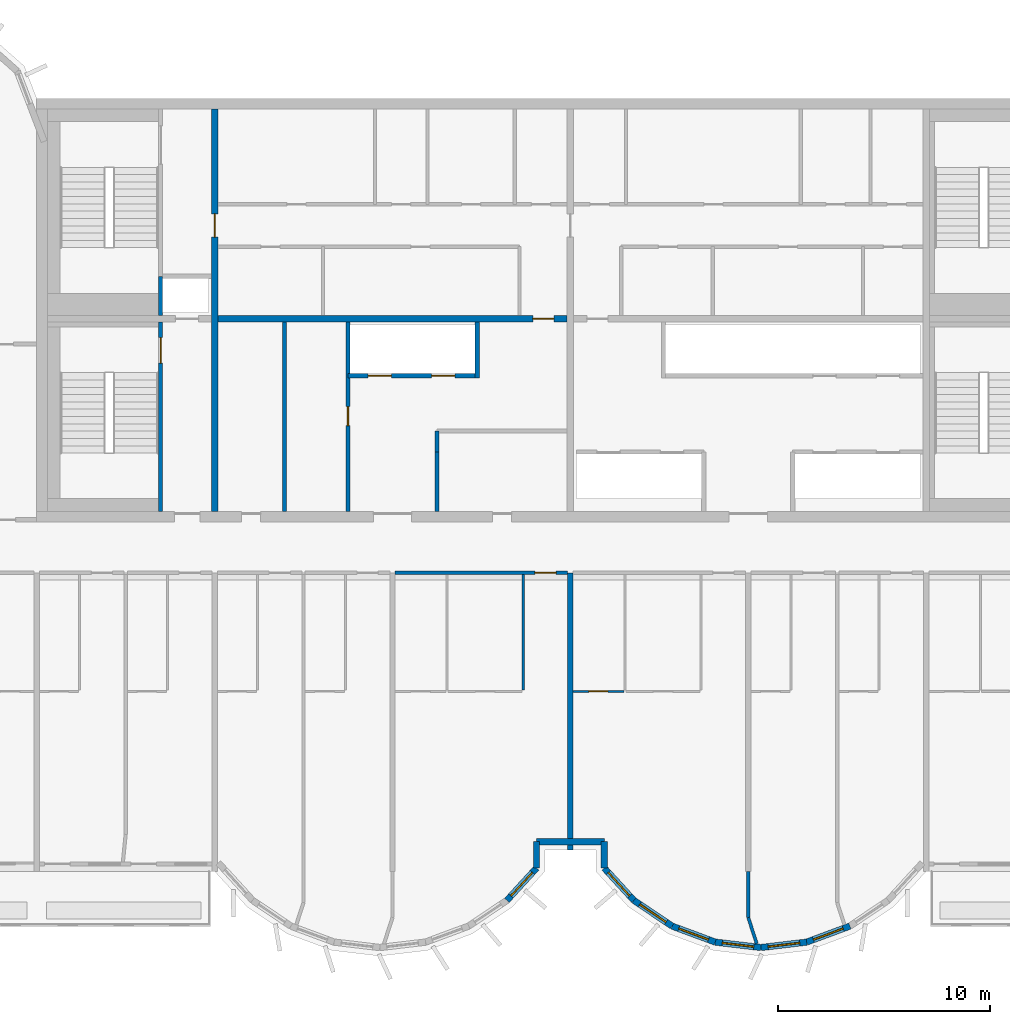
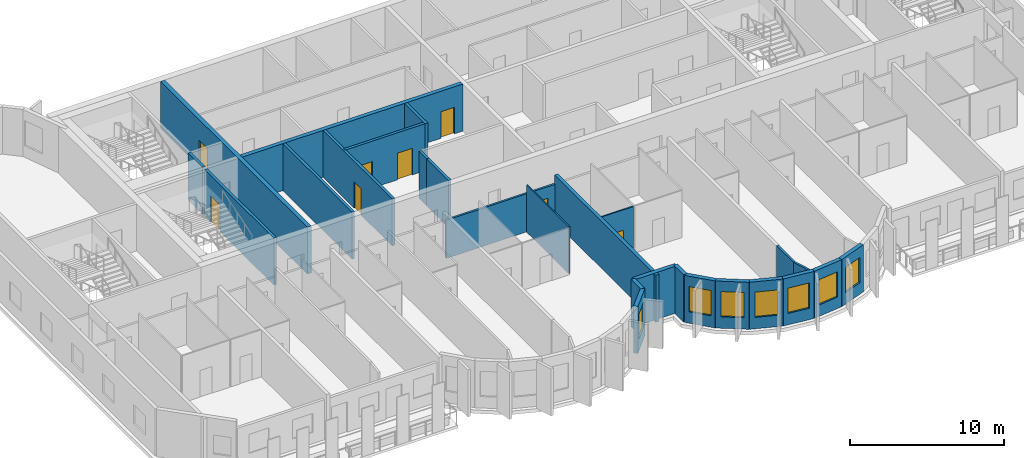
# One storey, part 4 of 12: 26 walls, 8 doors, 7 windows, 15 openings.
"""IFC4 building model written with IfcOpenShell, lengths in metres."""

from ifc_helpers import new_model, si_unit, direction, frame, frame_2d, origin, place, context, subcontext, project, spatial, rectangle, extrude, source, transform, mapped, material, layer, layer_set, type_object, element, fill, save


model = new_model("IFC4")

# Units and contexts
model_context = context("Model", 3, precision=1e-05, world=origin(), true_north=direction((0.0, 1.0)))
body_context = subcontext(model_context, "Body", "Model", "MODEL_VIEW")
ifc_project = project(units=[si_unit("LENGTHUNIT", "METRE"), si_unit("AREAUNIT", "SQUARE_METRE"), si_unit("VOLUMEUNIT", "CUBIC_METRE"), si_unit("PLANEANGLEUNIT", "RADIAN"), si_unit("MASSUNIT", "GRAM", prefix="KILO")], contexts=[model_context])

# Site, building, storey
site_placement = place(None, origin())
site = spatial("IfcSite", under=ifc_project, at=site_placement, CompositionType="ELEMENT")
building_placement = place(site_placement, origin())
building = spatial("IfcBuilding", under=site, at=building_placement, Name="Vanashikhar Sky Hotel", CompositionType="ELEMENT")
storey_placement = place(building_placement, frame((0.0, 0.0, 293.699951171875)))
storey = spatial("IfcBuildingStorey", under=building, at=storey_placement, Name="L70", CompositionType="ELEMENT", Elevation=293.699951171875)

# Wall, opening, door
ifc_material_1 = material(Name="Concrete M50", Category="concrete")
ifc_layer_1 = layer(ifc_material_1, 0.300048828125)
ifc_layer_set_1 = layer_set([ifc_layer_1], Name="RC core inner wall 300 Concrete M50")
wall_type_1 = type_object("IfcWallType", Name="RC core inner wall 300 Concrete M50", PredefinedType="SHEAR", material=ifc_layer_set_1)
shared_shape_1 = source(origin(), body_context, "Body", "SweptSolid", [
    extrude(rectangle(XDim=19.0, YDim=0.300048828125, at=frame_2d((9.5, 0.0))), origin(), (0.0, 0.0, 1.0), 3.719970703125),
])
wall_1_placement = place(storey_placement, frame((33.60009765625, 22.5, 0.0), z_axis=(0.0, 0.0, 1.0), x_axis=(0.0, 1.0, 0.0)))
wall_1 = element("IfcWall", 1, at=wall_1_placement, inside=storey, type_object=wall_type_1, Name="KW-L70-KX1", PredefinedType="SHEAR", context=body_context, shape_type="MappedRepresentation", body=[
    mapped(shared_shape_1, transform((0.0, 0.0, 0.0), scale=1.0)),
])
shared_shape_2 = source(origin(), body_context, "Body", "SweptSolid", [
    extrude(rectangle(XDim=1.10009765625, YDim=2.10009765625, at=frame_2d((0.550048828125, 1.050048828125))), frame((0.0, 0.16015625, 0.0), z_axis=(0.0, -1.0, 0.0), x_axis=(1.0, 0.0, 0.0)), (0.0, 0.0, 1.0), 0.320068359375),
])
opening_1_placement = place(wall_1_placement, frame((12.949951171875, 0.0, 0.0)))
opening_1 = element("IfcOpeningElement", 2, at=opening_1_placement, cuts=wall_1, Name="Opening DC-4-C", PredefinedType="OPENING", context=body_context, shape_type="MappedRepresentation", body=[
    mapped(shared_shape_2, transform((0.0, 0.0, 0.0), scale=1.0)),
])
ifc_material_2 = material(Name="Steel", Category="steel")
door_type_1 = type_object("IfcDoorType", Name="Service door 1100 FD60", OperationType="NOTDEFINED", PredefinedType="DOOR", material=ifc_material_2)
shared_shape_3 = source(origin(), body_context, "Body", "SweptSolid", [
    extrude(rectangle(XDim=1.10009765625, YDim=2.10009765625, at=frame_2d((0.550048828125, 1.050048828125))), frame((0.0, 0.02490234375, 0.0), z_axis=(0.0, -1.0, 0.0), x_axis=(1.0, 0.0, 0.0)), (0.0, 0.0, 1.0), 0.050048828125),
])
door_1_placement = place(opening_1_placement, origin())
door_1 = element("IfcDoor", 3, at=door_1_placement, inside=storey, type_object=door_type_1, Name="Service door 1100 FD60", OperationType="SINGLE_SWING_RIGHT", OverallHeight=2.10009765625, OverallWidth=1.10009765625, PredefinedType="DOOR", context=body_context, shape_type="MappedRepresentation", body=[
    mapped(shared_shape_3, transform((0.0, 0.0, 0.0), scale=1.0)),
])
fill(opening_1, door_1)

shared_shape_4 = source(origin(), body_context, "Body", "SweptSolid", [
    extrude(rectangle(XDim=16.5, YDim=0.300048828125, at=frame_2d((8.25, 0.0))), origin(), (0.0, 0.0, 1.0), 3.719970703125),
])
wall_2_placement = place(storey_placement, frame((33.75, 31.60009765625, 0.0), z_axis=(0.0, 0.0, 1.0), x_axis=(1.0, 0.0, 0.0)))
wall_2 = element("IfcWall", 4, at=wall_2_placement, inside=storey, type_object=wall_type_1, Name="KW-L70-KY2", PredefinedType="SHEAR", context=body_context, shape_type="MappedRepresentation", body=[
    mapped(shared_shape_4, transform((0.0, 0.0, 0.0), scale=1.0)),
])
shared_shape_5 = source(origin(), body_context, "Body", "SweptSolid", [
    extrude(rectangle(XDim=1.0, YDim=2.10009765625, at=frame_2d((0.5, 1.050048828125))), frame((0.0, 0.16015625, 0.0), z_axis=(0.0, -1.0, 0.0), x_axis=(1.0, 0.0, 0.0)), (0.0, 0.0, 1.0), 0.320068359375),
])
opening_2_placement = place(wall_2_placement, frame((14.875, 0.0, 0.0)))
opening_2 = element("IfcOpeningElement", 5, at=opening_2_placement, cuts=wall_2, Name="Opening DC-4", PredefinedType="OPENING", context=body_context, shape_type="MappedRepresentation", body=[
    mapped(shared_shape_5, transform((0.0, 0.0, 0.0), scale=1.0)),
])
door_type_2 = type_object("IfcDoorType", Name="Service door 1000 FD60", OperationType="NOTDEFINED", PredefinedType="DOOR", material=ifc_material_2)
shared_shape_6 = source(origin(), body_context, "Body", "SweptSolid", [
    extrude(rectangle(XDim=1.0, YDim=2.10009765625, at=frame_2d((0.5, 1.050048828125))), frame((0.0, 0.02490234375, 0.0), z_axis=(0.0, -1.0, 0.0), x_axis=(1.0, 0.0, 0.0)), (0.0, 0.0, 1.0), 0.050048828125),
])
door_2_placement = place(opening_2_placement, origin())
door_2 = element("IfcDoor", 6, at=door_2_placement, inside=storey, type_object=door_type_2, Name="Service door 1000 FD60", OperationType="SINGLE_SWING_LEFT", OverallHeight=2.10009765625, OverallWidth=1.0, PredefinedType="DOOR", context=body_context, shape_type="MappedRepresentation", body=[
    mapped(shared_shape_6, transform((0.0, 0.0, 0.0), scale=1.0)),
])
fill(opening_2, door_2)

# Wall
ifc_layer_2 = layer(ifc_material_1, 0.25)
ifc_layer_set_2 = layer_set([ifc_layer_2], Name="RC shear wall 250 Concrete M50")
wall_type_2 = type_object("IfcWallType", Name="RC shear wall 250 Concrete M50", PredefinedType="SHEAR", material=ifc_layer_set_2)
shared_shape_7 = source(origin(), body_context, "Body", "SweptSolid", [
    extrude(rectangle(XDim=13.10009765625, YDim=0.25, at=frame_2d((6.550048828125, 0.0))), origin(), (0.0, 0.0, 1.0), 3.719970703125),
])
wall_3_placement = place(storey_placement, frame((50.39990234375, 6.5, 0.0), z_axis=(0.0, 0.0, 1.0), x_axis=(0.0, 1.0, 0.0)))
element("IfcWall", 7, at=wall_3_placement, inside=storey, type_object=wall_type_2, Name="CW-L70-XW07-1", PredefinedType="SHEAR", context=body_context, shape_type="MappedRepresentation", body=[
    mapped(shared_shape_7, transform((0.0, 0.0, 0.0), scale=1.0)),
])

# Wall, opening, window
ifc_layer_3 = layer(ifc_material_1, 0.300048828125)
ifc_layer_set_3 = layer_set([ifc_layer_3], Name="Lobe wall 300")
wall_type_3 = type_object("IfcWallType", Name="Lobe wall 300", PredefinedType="SOLIDWALL", material=ifc_layer_set_3)
shared_shape_8 = source(origin(), body_context, "Body", "SweptSolid", [
    extrude(rectangle(XDim=2.17578125, YDim=0.300048828125, at=frame_2d((1.087890625, 0.0))), origin(), (0.0, 0.0, 1.0), 3.719970703125),
])
wall_4_placement = place(storey_placement, frame((53.395751953125, 4.13134765625, 0.0), z_axis=(0.0, 0.0, 1.0), x_axis=(0.829590746428, -0.558371913192, 0.0)))
wall_4 = element("IfcWall", 8, at=wall_4_placement, inside=storey, type_object=wall_type_3, Name="Lobe wall", PredefinedType="SOLIDWALL", context=body_context, shape_type="MappedRepresentation", body=[
    mapped(shared_shape_8, transform((0.0, 0.0, 0.0), scale=1.0)),
])
shared_shape_9 = source(origin(), body_context, "Body", "SweptSolid", [
    extrude(rectangle(XDim=1.5, YDim=2.0, at=frame_2d((0.75, 1.0))), frame((0.0, 0.16015625, 0.0), z_axis=(0.0, -1.0, 0.0), x_axis=(1.0, 0.0, 0.0)), (0.0, 0.0, 1.0), 0.320068359375),
])
opening_3_placement = place(wall_4_placement, frame((0.337890625, 0.0, 0.89990234375)))
opening_3 = element("IfcOpeningElement", 9, at=opening_3_placement, cuts=wall_4, Name="Opening WN-2", PredefinedType="OPENING", context=body_context, shape_type="MappedRepresentation", body=[
    mapped(shared_shape_9, transform((0.0, 0.0, 0.0), scale=1.0)),
])
ifc_material_3 = material(Name="Glass", Category="glass")
window_type = type_object("IfcWindowType", Name="Lobe window 1500 x 2000", PartitioningType="SINGLE_PANEL", PredefinedType="WINDOW", material=ifc_material_3)
shared_shape_10 = source(origin(), body_context, "Body", "SweptSolid", [
    extrude(rectangle(XDim=1.5, YDim=2.0, at=frame_2d((0.75, 1.0))), frame((0.0, 0.030029296875, 0.0), z_axis=(0.0, -1.0, 0.0), x_axis=(1.0, 0.0, 0.0)), (0.0, 0.0, 1.0), 0.06005859375),
])
window_1_placement = place(opening_3_placement, origin())
window_1 = element("IfcWindow", 10, at=window_1_placement, inside=storey, type_object=window_type, Name="Window WN-2", OverallHeight=2.0, OverallWidth=1.5, PartitioningType="SINGLE_PANEL", PredefinedType="WINDOW", context=body_context, shape_type="MappedRepresentation", body=[
    mapped(shared_shape_10, transform((0.0, 0.0, 0.0), scale=1.0)),
])
fill(opening_3, window_1)

wall_5_placement = place(storey_placement, frame((55.20068359375, 2.91650390625, 0.0), z_axis=(0.0, 0.0, 1.0), x_axis=(0.93754555999, -0.347862505801, 0.0)))
wall_5 = element("IfcWall", 11, at=wall_5_placement, inside=storey, type_object=wall_type_3, Name="Lobe wall", PredefinedType="SOLIDWALL", context=body_context, shape_type="MappedRepresentation", body=[
    mapped(shared_shape_8, transform((0.0, 0.0, 0.0), scale=1.0)),
])
opening_4_placement = place(wall_5_placement, frame((0.337890625, 0.0, 0.89990234375)))
opening_4 = element("IfcOpeningElement", 12, at=opening_4_placement, cuts=wall_5, Name="Opening WN-2", PredefinedType="OPENING", context=body_context, shape_type="MappedRepresentation", body=[
    mapped(shared_shape_9, transform((0.0, 0.0, 0.0), scale=1.0)),
])
window_2_placement = place(opening_4_placement, origin())
window_2 = element("IfcWindow", 13, at=window_2_placement, inside=storey, type_object=window_type, Name="Window WN-2", OverallHeight=2.0, OverallWidth=1.5, PartitioningType="SINGLE_PANEL", PredefinedType="WINDOW", context=body_context, shape_type="MappedRepresentation", body=[
    mapped(shared_shape_10, transform((0.0, 0.0, 0.0), scale=1.0)),
])
fill(opening_4, window_2)

shared_shape_11 = source(origin(), body_context, "Body", "SweptSolid", [
    extrude(rectangle(XDim=2.174560546875, YDim=0.300048828125, at=frame_2d((1.08740234375, 0.0))), origin(), (0.0, 0.0, 1.0), 3.719970703125),
])
wall_6_placement = place(storey_placement, frame((57.240478515625, 2.15966796875, 0.0), z_axis=(0.0, 0.0, 1.0), x_axis=(0.993001132889, -0.118104826659, 0.0)))
wall_6 = element("IfcWall", 14, at=wall_6_placement, inside=storey, type_object=wall_type_3, Name="Lobe wall", PredefinedType="SOLIDWALL", context=body_context, shape_type="MappedRepresentation", body=[
    mapped(shared_shape_11, transform((0.0, 0.0, 0.0), scale=1.0)),
])
opening_5_placement = place(wall_6_placement, frame((0.33740234375, 0.0, 0.89990234375)))
opening_5 = element("IfcOpeningElement", 15, at=opening_5_placement, cuts=wall_6, Name="Opening WN-2", PredefinedType="OPENING", context=body_context, shape_type="MappedRepresentation", body=[
    mapped(shared_shape_9, transform((0.0, 0.0, 0.0), scale=1.0)),
])
window_3_placement = place(opening_5_placement, origin())
window_3 = element("IfcWindow", 16, at=window_3_placement, inside=storey, type_object=window_type, Name="Window WN-2", OverallHeight=2.0, OverallWidth=1.5, PartitioningType="SINGLE_PANEL", PredefinedType="WINDOW", context=body_context, shape_type="MappedRepresentation", body=[
    mapped(shared_shape_10, transform((0.0, 0.0, 0.0), scale=1.0)),
])
fill(opening_5, window_3)

shared_shape_12 = source(origin(), body_context, "Body", "SweptSolid", [
    extrude(rectangle(XDim=2.1748046875, YDim=0.300048828125, at=frame_2d((1.08740234375, 0.0))), origin(), (0.0, 0.0, 1.0), 3.719970703125),
])
wall_7_placement = place(storey_placement, frame((59.39990234375, 1.90283203125, 0.0), z_axis=(0.0, 0.0, 1.0), x_axis=(0.993002698611, 0.118091661648, 0.0)))
wall_7 = element("IfcWall", 17, at=wall_7_placement, inside=storey, type_object=wall_type_3, Name="Lobe wall", PredefinedType="SOLIDWALL", context=body_context, shape_type="MappedRepresentation", body=[
    mapped(shared_shape_12, transform((0.0, 0.0, 0.0), scale=1.0)),
])
opening_6_placement = place(wall_7_placement, frame((0.33740234375, 0.0, 0.89990234375)))
opening_6 = element("IfcOpeningElement", 18, at=opening_6_placement, cuts=wall_7, Name="Opening WN-2", PredefinedType="OPENING", context=body_context, shape_type="MappedRepresentation", body=[
    mapped(shared_shape_9, transform((0.0, 0.0, 0.0), scale=1.0)),
])
window_4_placement = place(opening_6_placement, origin())
window_4 = element("IfcWindow", 19, at=window_4_placement, inside=storey, type_object=window_type, Name="Window WN-2", OverallHeight=2.0, OverallWidth=1.5, PartitioningType="SINGLE_PANEL", PredefinedType="WINDOW", context=body_context, shape_type="MappedRepresentation", body=[
    mapped(shared_shape_10, transform((0.0, 0.0, 0.0), scale=1.0)),
])
fill(opening_6, window_4)

shared_shape_13 = source(origin(), body_context, "Body", "SweptSolid", [
    extrude(rectangle(XDim=2.175537109375, YDim=0.300048828125, at=frame_2d((1.087890625, 0.0))), origin(), (0.0, 0.0, 1.0), 3.719970703125),
])
wall_8_placement = place(storey_placement, frame((61.5595703125, 2.15966796875, 0.0), z_axis=(0.0, 0.0, 1.0), x_axis=(0.937531979054, 0.347899106424, 0.0)))
wall_8 = element("IfcWall", 20, at=wall_8_placement, inside=storey, type_object=wall_type_3, Name="Lobe wall", PredefinedType="SOLIDWALL", context=body_context, shape_type="MappedRepresentation", body=[
    mapped(shared_shape_13, transform((0.0, 0.0, 0.0), scale=1.0)),
])
opening_7_placement = place(wall_8_placement, frame((0.337890625, 0.0, 0.89990234375)))
opening_7 = element("IfcOpeningElement", 21, at=opening_7_placement, cuts=wall_8, Name="Opening WN-2", PredefinedType="OPENING", context=body_context, shape_type="MappedRepresentation", body=[
    mapped(shared_shape_9, transform((0.0, 0.0, 0.0), scale=1.0)),
])
window_5_placement = place(opening_7_placement, origin())
window_5 = element("IfcWindow", 22, at=window_5_placement, inside=storey, type_object=window_type, Name="Window WN-2", OverallHeight=2.0, OverallWidth=1.5, PartitioningType="SINGLE_PANEL", PredefinedType="WINDOW", context=body_context, shape_type="MappedRepresentation", body=[
    mapped(shared_shape_10, transform((0.0, 0.0, 0.0), scale=1.0)),
])
fill(opening_7, window_5)

shared_shape_14 = source(origin(), body_context, "Body", "SweptSolid", [
    extrude(rectangle(XDim=2.066650390625, YDim=0.300048828125, at=frame_2d((1.033203125, 0.0))), origin(), (0.0, 0.0, 1.0), 3.719970703125),
])
wall_9_placement = place(storey_placement, frame((47.404296875, 4.13134765625, 0.0), z_axis=(0.0, 0.0, 1.0), x_axis=(0.675355439877, 0.737492393065, 0.0)))
wall_9 = element("IfcWall", 23, at=wall_9_placement, inside=storey, type_object=wall_type_3, Name="Lobe wall", PredefinedType="SOLIDWALL", context=body_context, shape_type="MappedRepresentation", body=[
    mapped(shared_shape_14, transform((0.0, 0.0, 0.0), scale=1.0)),
])
opening_8_placement = place(wall_9_placement, frame((0.283447265625, 0.0, 0.89990234375)))
opening_8 = element("IfcOpeningElement", 24, at=opening_8_placement, cuts=wall_9, Name="Opening WN-2", PredefinedType="OPENING", context=body_context, shape_type="MappedRepresentation", body=[
    mapped(shared_shape_9, transform((0.0, 0.0, 0.0), scale=1.0)),
])
window_6_placement = place(opening_8_placement, origin())
window_6 = element("IfcWindow", 25, at=window_6_placement, inside=storey, type_object=window_type, Name="Window WN-2", OverallHeight=2.0, OverallWidth=1.5, PartitioningType="SINGLE_PANEL", PredefinedType="WINDOW", context=body_context, shape_type="MappedRepresentation", body=[
    mapped(shared_shape_10, transform((0.0, 0.0, 0.0), scale=1.0)),
])
fill(opening_8, window_6)

wall_10_placement = place(storey_placement, frame((52.0, 5.655517578125, 0.0), z_axis=(0.0, 0.0, 1.0), x_axis=(0.675355439877, -0.737492393065, 0.0)))
wall_10 = element("IfcWall", 26, at=wall_10_placement, inside=storey, type_object=wall_type_3, Name="Lobe wall", PredefinedType="SOLIDWALL", context=body_context, shape_type="MappedRepresentation", body=[
    mapped(shared_shape_14, transform((0.0, 0.0, 0.0), scale=1.0)),
])
opening_9_placement = place(wall_10_placement, frame((0.283447265625, 0.0, 0.89990234375)))
opening_9 = element("IfcOpeningElement", 27, at=opening_9_placement, cuts=wall_10, Name="Opening WN-2", PredefinedType="OPENING", context=body_context, shape_type="MappedRepresentation", body=[
    mapped(shared_shape_9, transform((0.0, 0.0, 0.0), scale=1.0)),
])
window_7_placement = place(opening_9_placement, origin())
window_7 = element("IfcWindow", 28, at=window_7_placement, inside=storey, type_object=window_type, Name="Window WN-2", OverallHeight=2.0, OverallWidth=1.5, PartitioningType="SINGLE_PANEL", PredefinedType="WINDOW", context=body_context, shape_type="MappedRepresentation", body=[
    mapped(shared_shape_10, transform((0.0, 0.0, 0.0), scale=1.0)),
])
fill(opening_9, window_7)

# Walls
shared_shape_15 = source(origin(), body_context, "Body", "SweptSolid", [
    extrude(rectangle(XDim=1.244384765625, YDim=0.300048828125, at=frame_2d((0.6220703125, 0.0))), origin(), (0.0, 0.0, 1.0), 3.719970703125),
])
for number, where, z_axis, x_axis, name in (
    (29, (48.800048828125, 5.655517578125, 0.0), (0.0, 0.0, 1.0), (0.0, 1.0, 0.0), "Groove wall"),
    (30, (52.0, 6.89990234375, 0.0), (0.0, 0.0, 1.0), (0.0, -1.0, 0.0), "Groove wall"),
):
    element("IfcWall", number, at=place(storey_placement, frame(where, z_axis=z_axis, x_axis=x_axis)), inside=storey, type_object=wall_type_3, Name=name, PredefinedType="SOLIDWALL", context=body_context, shape_type="MappedRepresentation", body=[
        mapped(shared_shape_15, transform((0.0, 0.0, 0.0), scale=1.0)),
    ])
shared_shape_16 = source(origin(), body_context, "Body", "SweptSolid", [
    extrude(rectangle(XDim=3.199951171875, YDim=0.300048828125, at=frame_2d((1.60009765625, 0.0))), origin(), (0.0, 0.0, 1.0), 3.719970703125),
])
wall_11_placement = place(storey_placement, frame((48.800048828125, 6.89990234375, 0.0), z_axis=(0.0, 0.0, 1.0), x_axis=(1.0, 0.0, 0.0)))
element("IfcWall", 31, at=wall_11_placement, inside=storey, type_object=wall_type_3, Name="Groove wall", PredefinedType="SOLIDWALL", context=body_context, shape_type="MappedRepresentation", body=[
    mapped(shared_shape_16, transform((0.0, 0.0, 0.0), scale=1.0)),
])

# Wall, openings, doors
ifc_material_4 = material(Name="Concrete M40", Category="concrete")
ifc_layer_4 = layer(ifc_material_4, 0.199951171875)
ifc_layer_set_4 = layer_set([ifc_layer_4], Name="Shaft wall 200")
wall_type_4 = type_object("IfcWallType", Name="Shaft wall 200", PredefinedType="SOLIDWALL", material=ifc_layer_set_4)
shared_shape_17 = source(origin(), body_context, "Body", "SweptSolid", [
    extrude(rectangle(XDim=6.0, YDim=0.199951171875, at=frame_2d((3.0, 0.0))), origin(), (0.0, 0.0, 1.0), 3.719970703125),
])
wall_12_placement = place(storey_placement, frame((39.89990234375, 28.89990234375, 0.0), z_axis=(0.0, 0.0, 1.0), x_axis=(1.0, 0.0, 0.0)))
wall_12 = element("IfcWall", 32, at=wall_12_placement, inside=storey, type_object=wall_type_4, Name="Shaft wall 200", PredefinedType="SOLIDWALL", context=body_context, shape_type="MappedRepresentation", body=[
    mapped(shared_shape_17, transform((0.0, 0.0, 0.0), scale=1.0)),
])
shared_shape_18 = source(origin(), body_context, "Body", "SweptSolid", [
    extrude(rectangle(XDim=1.10009765625, YDim=2.10009765625, at=frame_2d((0.550048828125, 1.050048828125))), frame((0.0, 0.10986328125, 0.0), z_axis=(0.0, -1.0, 0.0), x_axis=(1.0, 0.0, 0.0)), (0.0, 0.0, 1.0), 0.219970703125),
])
opening_10_placement = place(wall_12_placement, frame((0.949951171875, 0.0, 0.0)))
opening_10 = element("IfcOpeningElement", 33, at=opening_10_placement, cuts=wall_12, Name="Opening LD", PredefinedType="OPENING", context=body_context, shape_type="MappedRepresentation", body=[
    mapped(shared_shape_18, transform((0.0, 0.0, 0.0), scale=1.0)),
])
opening_11_placement = place(wall_12_placement, frame((3.949951171875, 0.0, 0.0)))
opening_11 = element("IfcOpeningElement", 34, at=opening_11_placement, cuts=wall_12, Name="Opening LD", PredefinedType="OPENING", context=body_context, shape_type="MappedRepresentation", body=[
    mapped(shared_shape_18, transform((0.0, 0.0, 0.0), scale=1.0)),
])
ifc_material_5 = material(Name="Stainless steel", Category="steel")
door_type_3 = type_object("IfcDoorType", Name="Lift landing door 1100", OperationType="NOTDEFINED", PredefinedType="DOOR", material=ifc_material_5)
door_3_placement = place(opening_10_placement, origin())
door_3 = element("IfcDoor", 35, at=door_3_placement, inside=storey, type_object=door_type_3, Name="Lift landing door 1100", OperationType="SLIDING_TO_LEFT", OverallHeight=2.10009765625, OverallWidth=1.10009765625, PredefinedType="DOOR", context=body_context, shape_type="MappedRepresentation", body=[
    mapped(shared_shape_3, transform((0.0, 0.0, 0.0), scale=1.0)),
])
fill(opening_10, door_3)
door_4_placement = place(opening_11_placement, origin())
door_4 = element("IfcDoor", 36, at=door_4_placement, inside=storey, type_object=door_type_3, Name="Lift landing door 1100", OperationType="SLIDING_TO_RIGHT", OverallHeight=2.10009765625, OverallWidth=1.10009765625, PredefinedType="DOOR", context=body_context, shape_type="MappedRepresentation", body=[
    mapped(shared_shape_3, transform((0.0, 0.0, 0.0), scale=1.0)),
])
fill(opening_11, door_4)

# Wall, opening, door
ifc_material_6 = material(Name="Gypsum board partition")
ifc_layer_5 = layer(ifc_material_6, 0.14990234375)
ifc_layer_set_5 = layer_set([ifc_layer_5], Name="Service partition 150")
wall_type_5 = type_object("IfcWallType", Name="Service partition 150", PredefinedType="PARTITIONING", material=ifc_layer_set_5)
shared_shape_19 = source(origin(), body_context, "Body", "SweptSolid", [
    extrude(rectangle(XDim=8.949951171875, YDim=0.199951171875, at=frame_2d((4.47509765625, 0.0))), origin(), (0.0, 0.0, 1.0), 3.719970703125),
])
wall_13_placement = place(storey_placement, frame((39.89990234375, 22.5, 0.0), z_axis=(0.0, 0.0, 1.0), x_axis=(0.0, 1.0, 0.0)))
wall_13 = element("IfcWall", 37, at=wall_13_placement, inside=storey, type_object=wall_type_5, Name="Service partition 150", PredefinedType="PARTITIONING", context=body_context, shape_type="MappedRepresentation", body=[
    mapped(shared_shape_19, transform((0.0, 0.0, 0.0), scale=1.0)),
])
shared_shape_20 = source(origin(), body_context, "Body", "SweptSolid", [
    extrude(rectangle(XDim=0.89990234375, YDim=2.10009765625, at=frame_2d((0.449951171875, 1.050048828125))), frame((0.0, 0.10986328125, 0.0), z_axis=(0.0, -1.0, 0.0), x_axis=(1.0, 0.0, 0.0)), (0.0, 0.0, 1.0), 0.219970703125),
])
opening_12_placement = place(wall_13_placement, frame((4.050048828125, 0.0, 0.0)))
opening_12 = element("IfcOpeningElement", 38, at=opening_12_placement, cuts=wall_13, Name="Opening DC-4-A", PredefinedType="OPENING", context=body_context, shape_type="MappedRepresentation", body=[
    mapped(shared_shape_20, transform((0.0, 0.0, 0.0), scale=1.0)),
])
door_type_4 = type_object("IfcDoorType", Name="Service door 900 FD60", OperationType="NOTDEFINED", PredefinedType="DOOR", material=ifc_material_2)
shared_shape_21 = source(origin(), body_context, "Body", "SweptSolid", [
    extrude(rectangle(XDim=0.89990234375, YDim=2.10009765625, at=frame_2d((0.449951171875, 1.050048828125))), frame((0.0, 0.02490234375, 0.0), z_axis=(0.0, -1.0, 0.0), x_axis=(1.0, 0.0, 0.0)), (0.0, 0.0, 1.0), 0.050048828125),
])
door_5_placement = place(opening_12_placement, origin())
door_5 = element("IfcDoor", 39, at=door_5_placement, inside=storey, type_object=door_type_4, Name="Service door 900 FD60", OperationType="SINGLE_SWING_LEFT", OverallHeight=2.10009765625, OverallWidth=0.89990234375, PredefinedType="DOOR", context=body_context, shape_type="MappedRepresentation", body=[
    mapped(shared_shape_21, transform((0.0, 0.0, 0.0), scale=1.0)),
])
fill(opening_12, door_5)

# Walls
wall_14_placement = place(storey_placement, frame((36.89990234375, 22.5, 0.0), z_axis=(0.0, 0.0, 1.0), x_axis=(0.0, 1.0, 0.0)))
element("IfcWall", 40, at=wall_14_placement, inside=storey, type_object=wall_type_5, Name="Service partition 150", PredefinedType="PARTITIONING", context=body_context, shape_type="MappedRepresentation", body=[
    mapped(shared_shape_19, transform((0.0, 0.0, 0.0), scale=1.0)),
])
shared_shape_22 = source(origin(), body_context, "Body", "SweptSolid", [
    extrude(rectangle(XDim=2.800048828125, YDim=0.199951171875, at=frame_2d((1.39990234375, 0.0))), origin(), (0.0, 0.0, 1.0), 3.719970703125),
])
wall_15_placement = place(storey_placement, frame((44.10009765625, 22.5, 0.0), z_axis=(0.0, 0.0, 1.0), x_axis=(0.0, 1.0, 0.0)))
element("IfcWall", 41, at=wall_15_placement, inside=storey, type_object=wall_type_5, Name="Service partition 150", PredefinedType="PARTITIONING", context=body_context, shape_type="MappedRepresentation", body=[
    mapped(shared_shape_22, transform((0.0, 0.0, 0.0), scale=1.0)),
])
shared_shape_23 = source(origin(), body_context, "Body", "SweptSolid", [
    extrude(rectangle(XDim=2.64990234375, YDim=0.199951171875, at=frame_2d((1.324951171875, 0.0))), origin(), (0.0, 0.0, 1.0), 3.719970703125),
])
wall_16_placement = place(storey_placement, frame((46.0, 28.800048828125, 0.0), z_axis=(0.0, 0.0, 1.0), x_axis=(0.0, 1.0, 0.0)))
element("IfcWall", 42, at=wall_16_placement, inside=storey, type_object=wall_type_4, Name="Shaft wall 200", PredefinedType="SOLIDWALL", context=body_context, shape_type="MappedRepresentation", body=[
    mapped(shared_shape_23, transform((0.0, 0.0, 0.0), scale=1.0)),
])
shared_shape_24 = source(origin(), body_context, "Body", "SweptSolid", [
    extrude(rectangle(XDim=1.0, YDim=0.199951171875, at=frame_2d((0.5, 0.0))), origin(), (0.0, 0.0, 1.0), 3.719970703125),
])
wall_17_placement = place(storey_placement, frame((44.10009765625, 25.300048828125, 0.0), z_axis=(0.0, 0.0, 1.0), x_axis=(0.0, 1.0, 0.0)))
element("IfcWall", 43, at=wall_17_placement, inside=storey, type_object=wall_type_5, Name="Service partition 150", PredefinedType="PARTITIONING", context=body_context, shape_type="MappedRepresentation", body=[
    mapped(shared_shape_24, transform((0.0, 0.0, 0.0), scale=1.0)),
])

# Wall, opening, door
ifc_layer_6 = layer(ifc_material_1, 0.199951171875)
ifc_layer_set_6 = layer_set([ifc_layer_6], Name="Stair wall 200")
wall_type_6 = type_object("IfcWallType", Name="Stair wall 200", PredefinedType="SOLIDWALL", material=ifc_layer_set_6)
shared_shape_25 = source(origin(), body_context, "Body", "SweptSolid", [
    extrude(rectangle(XDim=8.949951171875, YDim=0.199951171875, at=frame_2d((4.47509765625, 0.0))), origin(), (0.0, 0.0, 1.0), 3.719970703125),
])
wall_18_placement = place(storey_placement, frame((31.050048828125, 22.5, 0.0), z_axis=(0.0, 0.0, 1.0), x_axis=(0.0, 1.0, 0.0)))
wall_18 = element("IfcWall", 44, at=wall_18_placement, inside=storey, type_object=wall_type_6, Name="Stair wall 200", PredefinedType="SOLIDWALL", context=body_context, shape_type="MappedRepresentation", body=[
    mapped(shared_shape_25, transform((0.0, 0.0, 0.0), scale=1.0)),
])
shared_shape_26 = source(origin(), body_context, "Body", "SweptSolid", [
    extrude(rectangle(XDim=1.199951171875, YDim=2.10009765625, at=frame_2d((0.60009765625, 1.050048828125))), frame((0.0, 0.10986328125, 0.0), z_axis=(0.0, -1.0, 0.0), x_axis=(1.0, 0.0, 0.0)), (0.0, 0.0, 1.0), 0.219970703125),
])
opening_13_placement = place(wall_18_placement, frame((7.0, 0.0, 0.0)))
opening_13 = element("IfcOpeningElement", 45, at=opening_13_placement, cuts=wall_18, Name="Opening DC-1", PredefinedType="OPENING", context=body_context, shape_type="MappedRepresentation", body=[
    mapped(shared_shape_26, transform((0.0, 0.0, 0.0), scale=1.0)),
])
door_type_5 = type_object("IfcDoorType", Name="Stair door 1200 FD120", OperationType="NOTDEFINED", PredefinedType="DOOR", material=ifc_material_2)
shared_shape_27 = source(origin(), body_context, "Body", "SweptSolid", [
    extrude(rectangle(XDim=1.199951171875, YDim=2.10009765625, at=frame_2d((0.60009765625, 1.050048828125))), frame((0.0, 0.02490234375, 0.0), z_axis=(0.0, -1.0, 0.0), x_axis=(1.0, 0.0, 0.0)), (0.0, 0.0, 1.0), 0.050048828125),
])
door_6_placement = place(opening_13_placement, origin())
door_6 = element("IfcDoor", 46, at=door_6_placement, inside=storey, type_object=door_type_5, Name="Stair door 1200 FD120", OperationType="SINGLE_SWING_RIGHT", OverallHeight=2.10009765625, OverallWidth=1.199951171875, PredefinedType="DOOR", context=body_context, shape_type="MappedRepresentation", body=[
    mapped(shared_shape_27, transform((0.0, 0.0, 0.0), scale=1.0)),
])
fill(opening_13, door_6)

# Wall
shared_shape_28 = source(origin(), body_context, "Body", "SweptSolid", [
    extrude(rectangle(XDim=1.85009765625, YDim=0.199951171875, at=frame_2d((0.925048828125, 0.0))), origin(), (0.0, 0.0, 1.0), 3.719970703125),
])
wall_19_placement = place(storey_placement, frame((31.050048828125, 31.75, 0.0), z_axis=(0.0, 0.0, 1.0), x_axis=(0.0, 1.0, 0.0)))
element("IfcWall", 47, at=wall_19_placement, inside=storey, type_object=wall_type_4, Name="Shaft wall 200", PredefinedType="SOLIDWALL", context=body_context, shape_type="MappedRepresentation", body=[
    mapped(shared_shape_28, transform((0.0, 0.0, 0.0), scale=1.0)),
])

# Wall, opening, door
ifc_material_7 = material(Name="Gypsum plasterboard partition")
ifc_layer_7 = layer(ifc_material_7, 0.14990234375)
ifc_layer_set_7 = layer_set([ifc_layer_7], Name="Corridor and demising partition 150")
wall_type_7 = type_object("IfcWallType", Name="Corridor and demising partition 150", PredefinedType="PARTITIONING", material=ifc_layer_set_7)
shared_shape_29 = source(origin(), body_context, "Body", "SweptSolid", [
    extrude(rectangle(XDim=8.14990234375, YDim=0.14990234375, at=frame_2d((4.074951171875, 0.0))), origin(), (0.0, 0.0, 1.0), 3.02001953125),
])
wall_20_placement = place(storey_placement, frame((42.125, 19.60009765625, 0.0), z_axis=(0.0, 0.0, 1.0), x_axis=(1.0, 0.0, 0.0)))
wall_20 = element("IfcWall", 48, at=wall_20_placement, inside=storey, type_object=wall_type_7, Name="W-L70-PW024", PredefinedType="PARTITIONING", context=body_context, shape_type="MappedRepresentation", body=[
    mapped(shared_shape_29, transform((0.0, 0.0, 0.0), scale=1.0)),
])
shared_shape_30 = source(origin(), body_context, "Body", "SweptSolid", [
    extrude(rectangle(XDim=1.0, YDim=2.10009765625, at=frame_2d((0.5, 1.050048828125))), frame((0.0, 0.0849609375, 0.0), z_axis=(0.0, -1.0, 0.0), x_axis=(1.0, 0.0, 0.0)), (0.0, 0.0, 1.0), 0.169921875),
])
opening_14_placement = place(wall_20_placement, frame((6.60009765625, 0.0, 0.0)))
opening_14 = element("IfcOpeningElement", 49, at=opening_14_placement, cuts=wall_20, Name="Opening D-01", PredefinedType="OPENING", context=body_context, shape_type="MappedRepresentation", body=[
    mapped(shared_shape_30, transform((0.0, 0.0, 0.0), scale=1.0)),
])
ifc_material_8 = material(Name="Timber fire door", Category="wood")
door_type_6 = type_object("IfcDoorType", Name="Guest entry door 1000 FD30S", OperationType="NOTDEFINED", PredefinedType="DOOR", material=ifc_material_8)
door_7_placement = place(opening_14_placement, origin())
door_7 = element("IfcDoor", 50, at=door_7_placement, inside=storey, type_object=door_type_6, Name="D-L70-014", OperationType="SINGLE_SWING_RIGHT", OverallHeight=2.10009765625, OverallWidth=1.0, PredefinedType="DOOR", context=body_context, shape_type="MappedRepresentation", body=[
    mapped(shared_shape_6, transform((0.0, 0.0, 0.0), scale=1.0)),
])
fill(opening_14, door_7)

# Walls
shared_shape_31 = source(origin(), body_context, "Body", "SweptSolid", [
    extrude(rectangle(XDim=2.177978515625, YDim=0.14990234375, at=frame_2d((1.0888671875, 0.0))), origin(), (0.0, 0.0, 1.0), 3.719970703125),
])
wall_21_placement = place(storey_placement, frame((58.800048828125, 3.322021484375, 0.0), z_axis=(0.0, 0.0, 1.0), x_axis=(0.0, 1.0, 0.0)))
element("IfcWall", 51, at=wall_21_placement, inside=storey, type_object=wall_type_7, Name="W-L70-PW048", PredefinedType="PARTITIONING", context=body_context, shape_type="MappedRepresentation", body=[
    mapped(shared_shape_31, transform((0.0, 0.0, 0.0), scale=1.0)),
])
shared_shape_32 = source(origin(), body_context, "Body", "SweptSolid", [
    extrude(rectangle(XDim=1.308349609375, YDim=0.14990234375, at=frame_2d((0.654296875, 0.0))), origin(), (0.0, 0.0, 1.0), 3.719970703125),
])
wall_22_placement = place(storey_placement, frame((59.201904296875, 2.076904296875, 0.0), z_axis=(0.0, 0.0, 1.0), x_axis=(-0.307144529633, 0.951662880392, 0.0)))
element("IfcWall", 52, at=wall_22_placement, inside=storey, type_object=wall_type_7, Name="W-L70-PW048B0", PredefinedType="PARTITIONING", context=body_context, shape_type="MappedRepresentation", body=[
    mapped(shared_shape_32, transform((0.0, 0.0, 0.0), scale=1.0)),
])
ifc_layer_8 = layer(ifc_material_7, 0.10009765625)
ifc_layer_set_8 = layer_set([ifc_layer_8], Name="Wet room partition 100")
wall_type_8 = type_object("IfcWallType", Name="Wet room partition 100", PredefinedType="PARTITIONING", material=ifc_layer_set_8)
shared_shape_33 = source(origin(), body_context, "Body", "SweptSolid", [
    extrude(rectangle(XDim=5.449951171875, YDim=0.10009765625, at=frame_2d((2.72509765625, 0.0))), origin(), (0.0, 0.0, 1.0), 3.719970703125),
])
wall_23_placement = place(storey_placement, frame((48.175048828125, 14.074951171875, 0.0), z_axis=(0.0, 0.0, 1.0), x_axis=(0.0, 1.0, 0.0)))
element("IfcWall", 53, at=wall_23_placement, inside=storey, type_object=wall_type_8, Name="W-L70-PW020", PredefinedType="PARTITIONING", context=body_context, shape_type="MappedRepresentation", body=[
    mapped(shared_shape_33, transform((0.0, 0.0, 0.0), scale=1.0)),
])

# Wall, opening, door
shared_shape_34 = source(origin(), body_context, "Body", "SweptSolid", [
    extrude(rectangle(XDim=2.400146484375, YDim=0.10009765625, at=frame_2d((1.2001953125, 0.0))), origin(), (0.0, 0.0, 1.0), 3.719970703125),
])
wall_24_placement = place(storey_placement, frame((50.52490234375, 14.0, 0.0), z_axis=(0.0, 0.0, 1.0), x_axis=(1.0, 0.0, 0.0)))
wall_24 = element("IfcWall", 54, at=wall_24_placement, inside=storey, type_object=wall_type_8, Name="W-L70-PW028", PredefinedType="PARTITIONING", context=body_context, shape_type="MappedRepresentation", body=[
    mapped(shared_shape_34, transform((0.0, 0.0, 0.0), scale=1.0)),
])
shared_shape_35 = source(origin(), body_context, "Body", "SweptSolid", [
    extrude(rectangle(XDim=0.89990234375, YDim=2.10009765625, at=frame_2d((0.449951171875, 1.050048828125))), frame((0.0, 0.06005859375, 0.0), z_axis=(0.0, -1.0, 0.0), x_axis=(1.0, 0.0, 0.0)), (0.0, 0.0, 1.0), 0.1201171875),
])
opening_15_placement = place(wall_24_placement, frame((0.75, 0.0, 0.0)))
opening_15 = element("IfcOpeningElement", 55, at=opening_15_placement, cuts=wall_24, Name="Opening D-02", PredefinedType="OPENING", context=body_context, shape_type="MappedRepresentation", body=[
    mapped(shared_shape_35, transform((0.0, 0.0, 0.0), scale=1.0)),
])
ifc_material_9 = material(Name="Timber door", Category="wood")
door_type_7 = type_object("IfcDoorType", Name="Internal door 900", OperationType="NOTDEFINED", PredefinedType="DOOR", material=ifc_material_9)
door_8_placement = place(opening_15_placement, origin())
door_8 = element("IfcDoor", 56, at=door_8_placement, inside=storey, type_object=door_type_7, Name="D-L70-016", OperationType="SINGLE_SWING_RIGHT", OverallHeight=2.10009765625, OverallWidth=0.89990234375, PredefinedType="DOOR", context=body_context, shape_type="MappedRepresentation", body=[
    mapped(shared_shape_21, transform((0.0, 0.0, 0.0), scale=1.0)),
])
fill(opening_15, door_8)

save(model, "model.ifc")
